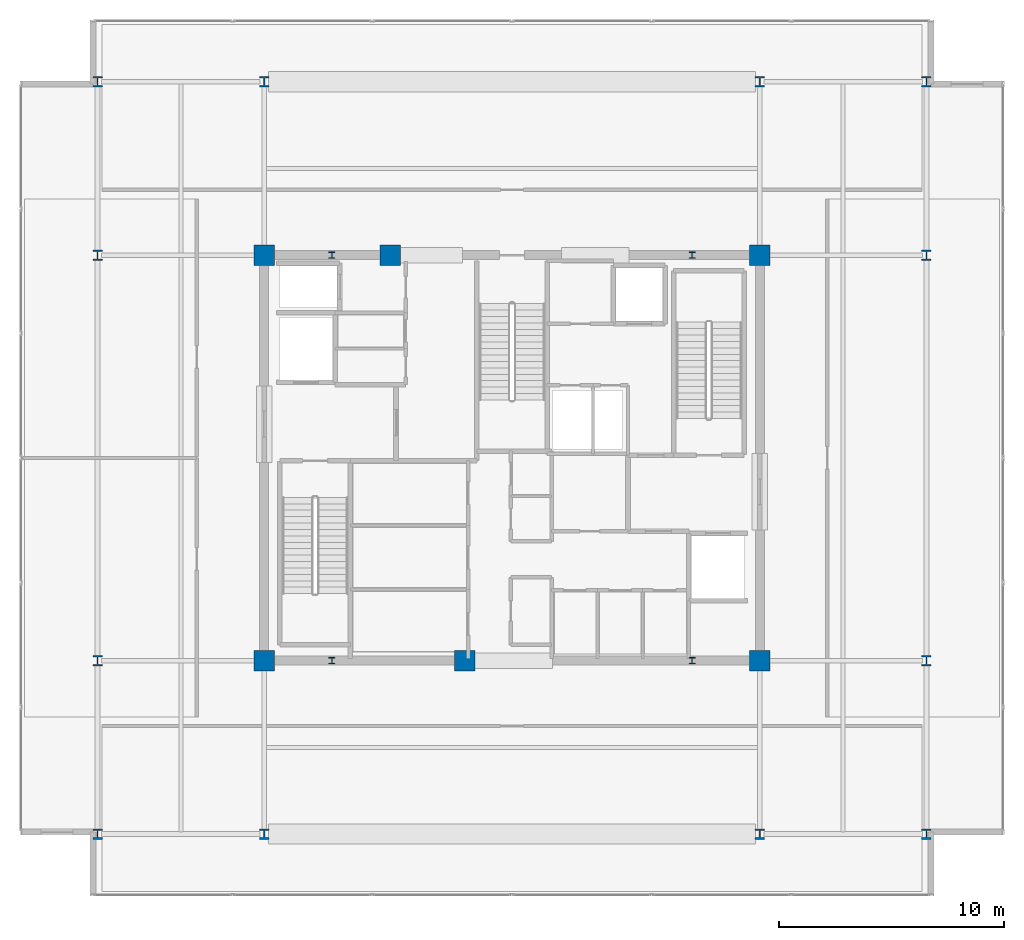
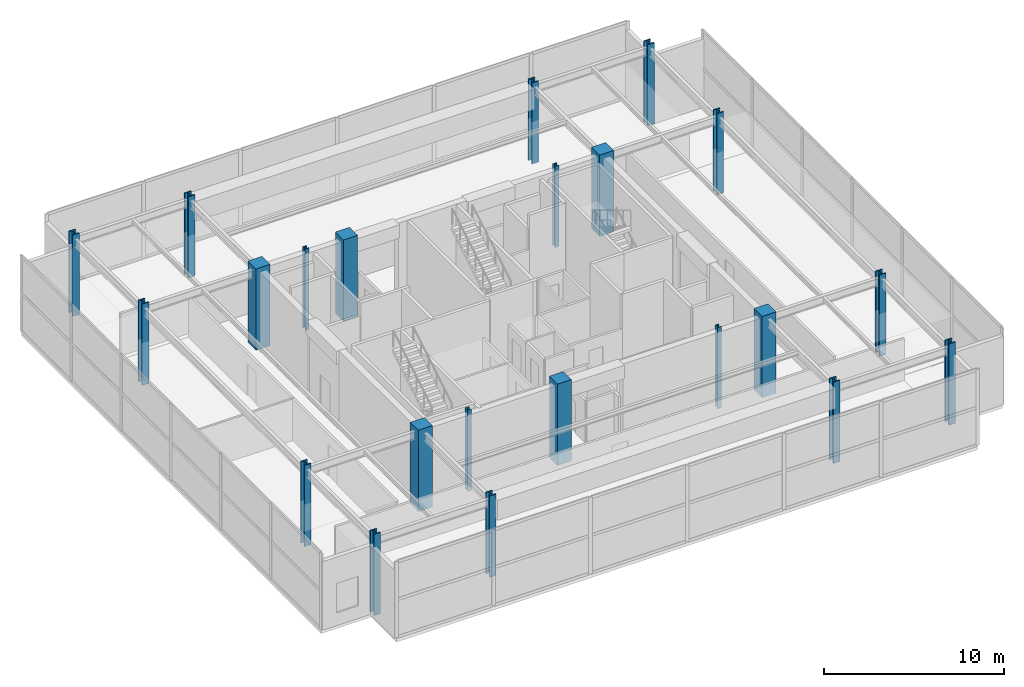
# One storey, part 1 of 24: 22 columns.
"""IFC4 building model written with IfcOpenShell, lengths in metres."""

from ifc_helpers import new_model, si_unit, direction, frame, origin, origin_2d, place, context, subcontext, project, spatial, rectangle, i_section, extrude, material, material_profile, profile_set, type_object, element, save


model = new_model("IFC4")

# Units and contexts
model_context = context("Model", 3, precision=1e-05, world=origin(), true_north=direction((0.0, 1.0)))
body_context = subcontext(model_context, "Body", "Model", "MODEL_VIEW")
ifc_project = project(units=[si_unit("LENGTHUNIT", "METRE"), si_unit("AREAUNIT", "SQUARE_METRE"), si_unit("VOLUMEUNIT", "CUBIC_METRE"), si_unit("PLANEANGLEUNIT", "RADIAN"), si_unit("MASSUNIT", "GRAM", prefix="KILO")], contexts=[model_context])

# Site, building, storey
site_placement = place(None, origin())
site = spatial("IfcSite", under=ifc_project, at=site_placement, CompositionType="ELEMENT")
building_placement = place(site_placement, origin())
building = spatial("IfcBuilding", under=site, at=building_placement, Name="Kovane Verandah Tower", CompositionType="ELEMENT")
storey_placement = place(building_placement, frame((0.0, 0.0, 348.800048828125)))
storey = spatial("IfcBuildingStorey", under=building, at=storey_placement, Name="L81", CompositionType="ELEMENT", Elevation=348.800048828125)

# Columns
ifc_material_1 = material(Name="Steel S355", Category="steel")
ifc_material_profile_1 = material_profile(ifc_material_1, i_section(OverallWidth=0.26513671875, OverallDepth=0.2890625, WebThickness=0.019287109375, FlangeThickness=0.03173828125, FilletRadius=0.0126953125, at=origin_2d()), Name="UC254x254x167")
ifc_profile_set_1 = profile_set([ifc_material_profile_1], Name="Steel S355")
column_type_1 = type_object("IfcColumnType", Name="COL-UC167", PredefinedType="COLUMN", material=ifc_profile_set_1)
for number, where, z_axis, x_axis, name in (
    (1, (32.0, 18.5, 0.0), (0.0, 0.0, 1.0), (1.0, 0.0, 0.0), "L81 Crown Frame Column CC-01"),
    (2, (48.0, 18.5, 0.0), (0.0, 0.0, 1.0), (1.0, 0.0, 0.0), "L81 Crown Frame Column CC-02"),
    (3, (32.0, 36.5, 0.0), (0.0, 0.0, 1.0), (1.0, 0.0, 0.0), "L81 Crown Frame Column CC-03"),
    (4, (48.0, 36.5, 0.0), (0.0, 0.0, 1.0), (1.0, 0.0, 0.0), "L81 Crown Frame Column CC-04"),
):
    element("IfcColumn", number, at=place(storey_placement, frame(where, z_axis=z_axis, x_axis=x_axis)), inside=storey, type_object=column_type_1, Name=name, PredefinedType="COLUMN", context=body_context, shape_type="SweptSolid", body=[
        extrude(i_section(OverallWidth=0.26513671875, OverallDepth=0.2890625, WebThickness=0.019287109375, FlangeThickness=0.03173828125, FilletRadius=0.0126953125, at=origin_2d()), origin(), (0.0, 0.0, 1.0), 5.5),
    ])
ifc_material_2 = material(Name="Steel S460", Category="steel")
ifc_material_profile_2 = material_profile(ifc_material_2, i_section(OverallWidth=0.424072265625, OverallDepth=0.474609375, WebThickness=0.047607421875, FlangeThickness=0.076904296875, FilletRadius=0.01513671875, at=origin_2d()), Name="UC356x406x634")
ifc_profile_set_2 = profile_set([ifc_material_profile_2], Name="Steel S460")
column_type_2 = type_object("IfcColumnType", Name="COL-UC634", PredefinedType="COLUMN", material=ifc_profile_set_2)
for number, where, z_axis, x_axis, name in (
    (5, (29.0, 10.800048828125, 0.0), (0.0, 0.0, 1.0), (1.0, 0.0, 0.0), "L81 Tower Mega-Column MC-S1"),
    (6, (51.0, 10.800048828125, 0.0), (0.0, 0.0, 1.0), (1.0, 0.0, 0.0), "L81 Tower Mega-Column MC-S2"),
    (7, (29.0, 44.199951171875, 0.0), (0.0, 0.0, 1.0), (1.0, 0.0, 0.0), "L81 Tower Mega-Column MC-N1"),
    (8, (51.0, 44.199951171875, 0.0), (0.0, 0.0, 1.0), (1.0, 0.0, 0.0), "L81 Tower Mega-Column MC-N2"),
    (9, (21.60009765625, 18.5, 0.0), (0.0, 0.0, 1.0), (1.0, 0.0, 0.0), "L81 Tower Mega-Column MC-W1"),
    (10, (21.60009765625, 36.5, 0.0), (0.0, 0.0, 1.0), (1.0, 0.0, 0.0), "L81 Tower Mega-Column MC-W2"),
    (11, (58.39990234375, 18.5, 0.0), (0.0, 0.0, 1.0), (1.0, 0.0, 0.0), "L81 Tower Mega-Column MC-E1"),
    (12, (58.39990234375, 36.5, 0.0), (0.0, 0.0, 1.0), (1.0, 0.0, 0.0), "L81 Tower Mega-Column MC-E2"),
    (13, (21.60009765625, 10.800048828125, 0.0), (0.0, 0.0, 1.0), (1.0, 0.0, 0.0), "L81 Tower Mega-Column MC-SW"),
    (14, (58.39990234375, 10.800048828125, 0.0), (0.0, 0.0, 1.0), (1.0, 0.0, 0.0), "L81 Tower Mega-Column MC-SE"),
    (15, (21.60009765625, 44.199951171875, 0.0), (0.0, 0.0, 1.0), (1.0, 0.0, 0.0), "L81 Tower Mega-Column MC-NW"),
    (16, (58.39990234375, 44.199951171875, 0.0), (0.0, 0.0, 1.0), (1.0, 0.0, 0.0), "L81 Tower Mega-Column MC-NE"),
):
    element("IfcColumn", number, at=place(storey_placement, frame(where, z_axis=z_axis, x_axis=x_axis)), inside=storey, type_object=column_type_2, Name=name, PredefinedType="COLUMN", context=body_context, shape_type="SweptSolid", body=[
        extrude(i_section(OverallWidth=0.424072265625, OverallDepth=0.474609375, WebThickness=0.047607421875, FlangeThickness=0.076904296875, FilletRadius=0.01513671875, at=origin_2d()), origin(), (0.0, 0.0, 1.0), 5.5),
    ])
ifc_material_3 = material(Name="Concrete C60/75", Category="concrete")
ifc_material_profile_3 = material_profile(ifc_material_3, rectangle(XDim=0.89990234375, YDim=0.89990234375, at=origin_2d()), Name="RC900x900")
ifc_profile_set_3 = profile_set([ifc_material_profile_3], Name="Concrete C60/75")
column_type_3 = type_object("IfcColumnType", Name="PIL-RC900", PredefinedType="PILASTER", material=ifc_profile_set_3)
for number, where, z_axis, x_axis, name in (
    (17, (29.0, 18.5, 0.0), (0.0, 0.0, 1.0), (1.0, 0.0, 0.0), "L81 Core Pilaster CP-SW"),
    (18, (51.0, 18.5, 0.0), (0.0, 0.0, 1.0), (1.0, 0.0, 0.0), "L81 Core Pilaster CP-SE"),
    (19, (29.0, 36.5, 0.0), (0.0, 0.0, 1.0), (1.0, 0.0, 0.0), "L81 Core Pilaster CP-NW"),
    (20, (51.0, 36.5, 0.0), (0.0, 0.0, 1.0), (1.0, 0.0, 0.0), "L81 Core Pilaster CP-NE"),
    (21, (37.89990234375, 18.5, 0.0), (0.0, 0.0, 1.0), (1.0, 0.0, 0.0), "L81 Core Pilaster CP-S"),
    (22, (34.60009765625, 36.5, 0.0), (0.0, 0.0, 1.0), (1.0, 0.0, 0.0), "L81 Core Pilaster CP-N"),
):
    element("IfcColumn", number, at=place(storey_placement, frame(where, z_axis=z_axis, x_axis=x_axis)), inside=storey, type_object=column_type_3, Name=name, PredefinedType="PILASTER", context=body_context, shape_type="SweptSolid", body=[
        extrude(rectangle(XDim=0.89990234375, YDim=0.89990234375, at=origin_2d()), origin(), (0.0, 0.0, 1.0), 5.5),
    ])

save(model, "model.ifc")
